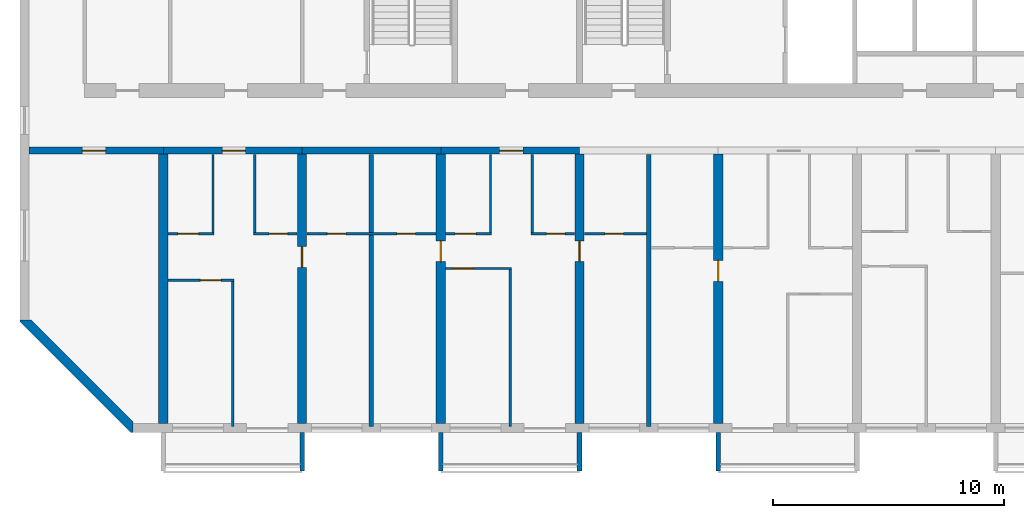
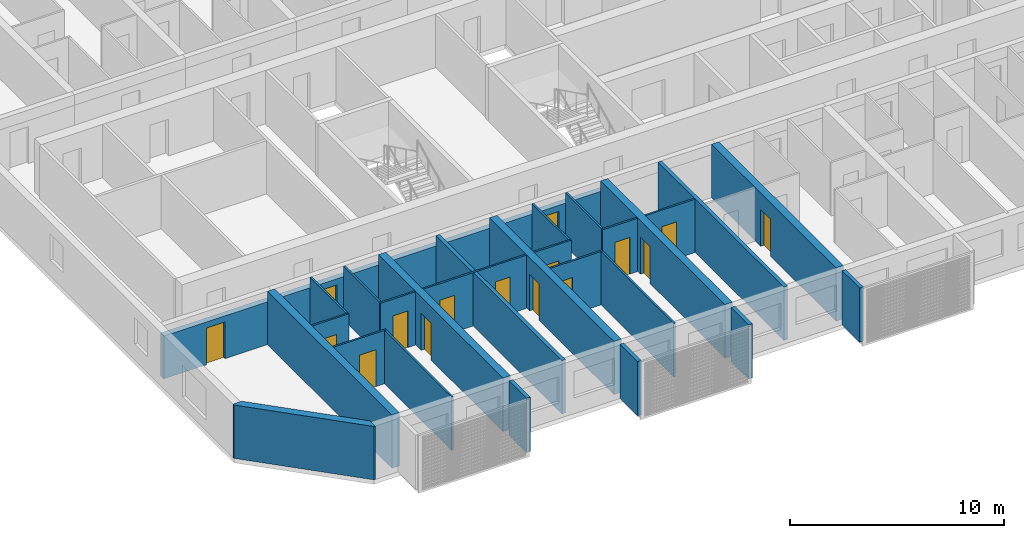
# One storey, part 2 of 39: 30 walls, 16 doors, 16 openings.
"""IFC4 building model written with IfcOpenShell, lengths in metres."""

from ifc_helpers import new_model, si_unit, direction, frame, frame_2d, origin, place, context, subcontext, project, spatial, polyline, rectangle, outline, extrude, source, transform, mapped, material, layer, layer_set, type_object, element, fill, save


model = new_model("IFC4")

# Units and contexts
model_context = context("Model", 3, precision=1e-05, world=origin(), true_north=direction((0.0, 1.0)))
body_context = subcontext(model_context, "Body", "Model", "MODEL_VIEW")
ifc_project = project(units=[si_unit("LENGTHUNIT", "METRE"), si_unit("AREAUNIT", "SQUARE_METRE"), si_unit("VOLUMEUNIT", "CUBIC_METRE"), si_unit("PLANEANGLEUNIT", "RADIAN"), si_unit("MASSUNIT", "GRAM", prefix="KILO")], contexts=[model_context])

# Site, building, storey
site_placement = place(None, origin())
site = spatial("IfcSite", under=ifc_project, at=site_placement, CompositionType="ELEMENT")
building_placement = place(site_placement, origin())
building = spatial("IfcBuilding", under=site, at=building_placement, Name="Poui Terraces", CompositionType="ELEMENT")
storey_placement = place(building_placement, frame((0.0, 0.0, 56.39990234375)))
storey = spatial("IfcBuildingStorey", under=building, at=storey_placement, Name="L15", CompositionType="ELEMENT", Elevation=56.39990234375)

# Wall, opening, door
ifc_material_1 = material(Name="Concrete 80 MPa", Category="concrete")
ifc_layer_1 = layer(ifc_material_1, 0.300048828125)
ifc_layer_set_1 = layer_set([ifc_layer_1], Name="Concrete 80 MPa")
wall_type_1 = type_object("IfcWallType", Name="CORRIDOR WALL 300 80MPa", PredefinedType="SHEAR", material=ifc_layer_set_1)
wall_1_placement = place(storey_placement, frame((6.199951171875, 12.0, 0.0), z_axis=(0.0, 0.0, 1.0), x_axis=(1.0, 0.0, 0.0)))
wall_1 = element("IfcWall", 1, at=wall_1_placement, inside=storey, type_object=wall_type_1, Name="CORRIDOR WALL LINE B BAY 1", PredefinedType="SHEAR", context=body_context, shape_type="SweptSolid", body=[
    extrude(rectangle(XDim=5.800048828125, YDim=0.300048828125, at=frame_2d((2.89990234375, 0.0))), origin(), (0.0, 0.0, 1.0), 2.4501953125),
])
opening_1_placement = place(wall_1_placement, frame((2.300048828125, 0.0, 0.0)))
opening_1 = element("IfcOpeningElement", 2, at=opening_1_placement, cuts=wall_1, Name="Opening D100", PredefinedType="OPENING", context=body_context, shape_type="SweptSolid", body=[
    extrude(rectangle(XDim=1.0, YDim=2.10009765625, at=frame_2d((0.5, 1.050048828125))), frame((0.0, 0.16015625, 0.0), z_axis=(0.0, -1.0, 0.0), x_axis=(1.0, 0.0, 0.0)), (0.0, 0.0, 1.0), 0.320068359375),
])
ifc_material_2 = material(Name="Solid core timber door", Category="wood")
door_type_1 = type_object("IfcDoorType", Name="ACCESSIBLE INTERNAL DOOR 1000 X 2100", OperationType="NOTDEFINED", PredefinedType="DOOR", material=ifc_material_2)
door_1_placement = place(opening_1_placement, frame((1.0, 0.0, 0.0), z_axis=(0.0, 0.0, 1.0), x_axis=(-1.0, 0.0, 0.0)))
door_1 = element("IfcDoor", 3, at=door_1_placement, inside=storey, type_object=door_type_1, Name="ACCESSIBLE INTERNAL DOOR 084", OperationType="SINGLE_SWING_RIGHT", OverallHeight=2.10009765625, OverallWidth=1.0, PredefinedType="DOOR", context=body_context, shape_type="SweptSolid", body=[
    extrude(rectangle(XDim=1.0, YDim=2.10009765625, at=frame_2d((0.5, 1.050048828125))), frame((0.0, 0.02490234375, 0.0), z_axis=(0.0, -1.0, 0.0), x_axis=(1.0, 0.0, 0.0)), (0.0, 0.0, 1.0), 0.050048828125),
])
fill(opening_1, door_1)

wall_2_placement = place(storey_placement, frame((12.0, 12.0, 0.0), z_axis=(0.0, 0.0, 1.0), x_axis=(1.0, 0.0, 0.0)))
wall_2 = element("IfcWall", 4, at=wall_2_placement, inside=storey, type_object=wall_type_1, Name="CORRIDOR WALL LINE B BAY 2", PredefinedType="SHEAR", context=body_context, shape_type="SweptSolid", body=[
    extrude(rectangle(XDim=6.0, YDim=0.300048828125, at=frame_2d((3.0, 0.0))), origin(), (0.0, 0.0, 1.0), 2.4501953125),
])
opening_2_placement = place(wall_2_placement, frame((2.550048828125, 0.0, 0.0)))
opening_2 = element("IfcOpeningElement", 5, at=opening_2_placement, cuts=wall_2, Name="Opening FD30S", PredefinedType="OPENING", context=body_context, shape_type="SweptSolid", body=[
    extrude(rectangle(XDim=1.0, YDim=2.10009765625, at=frame_2d((0.5, 1.050048828125))), frame((0.0, 0.16015625, 0.0), z_axis=(0.0, -1.0, 0.0), x_axis=(1.0, 0.0, 0.0)), (0.0, 0.0, 1.0), 0.320068359375),
])
ifc_material_3 = material(Name="Steel fire door", Category="steel")
door_type_2 = type_object("IfcDoorType", Name="FLAT ENTRANCE DOOR 1000 X 2100", OperationType="NOTDEFINED", PredefinedType="DOOR", material=ifc_material_3)
door_2_placement = place(opening_2_placement, frame((1.0, 0.0, 0.0), z_axis=(0.0, 0.0, 1.0), x_axis=(-1.0, 0.0, 0.0)))
door_2 = element("IfcDoor", 6, at=door_2_placement, inside=storey, type_object=door_type_2, Name="FLAT ENTRANCE DOOR 088", OperationType="SINGLE_SWING_LEFT", OverallHeight=2.10009765625, OverallWidth=1.0, PredefinedType="DOOR", context=body_context, shape_type="SweptSolid", body=[
    extrude(rectangle(XDim=1.0, YDim=2.10009765625, at=frame_2d((0.5, 1.050048828125))), frame((0.0, 0.02490234375, 0.0), z_axis=(0.0, -1.0, 0.0), x_axis=(1.0, 0.0, 0.0)), (0.0, 0.0, 1.0), 0.050048828125),
])
fill(opening_2, door_2)

# Wall
wall_3_placement = place(storey_placement, frame((18.0, 12.0, 0.0), z_axis=(0.0, 0.0, 1.0), x_axis=(1.0, 0.0, 0.0)))
element("IfcWall", 7, at=wall_3_placement, inside=storey, type_object=wall_type_1, Name="CORRIDOR WALL LINE B BAY 3", PredefinedType="SHEAR", context=body_context, shape_type="SweptSolid", body=[
    extrude(rectangle(XDim=6.0, YDim=0.300048828125, at=frame_2d((3.0, 0.0))), origin(), (0.0, 0.0, 1.0), 2.4501953125),
])

# Wall, opening, door
wall_4_placement = place(storey_placement, frame((24.0, 12.0, 0.0), z_axis=(0.0, 0.0, 1.0), x_axis=(1.0, 0.0, 0.0)))
wall_4 = element("IfcWall", 8, at=wall_4_placement, inside=storey, type_object=wall_type_1, Name="CORRIDOR WALL LINE B BAY 4", PredefinedType="SHEAR", context=body_context, shape_type="SweptSolid", body=[
    extrude(rectangle(XDim=6.0, YDim=0.300048828125, at=frame_2d((3.0, 0.0))), origin(), (0.0, 0.0, 1.0), 2.4501953125),
])
opening_3_placement = place(wall_4_placement, frame((2.550048828125, 0.0, 0.0)))
opening_3 = element("IfcOpeningElement", 9, at=opening_3_placement, cuts=wall_4, Name="Opening FD30S", PredefinedType="OPENING", context=body_context, shape_type="SweptSolid", body=[
    extrude(rectangle(XDim=1.0, YDim=2.10009765625, at=frame_2d((0.5, 1.050048828125))), frame((0.0, 0.16015625, 0.0), z_axis=(0.0, -1.0, 0.0), x_axis=(1.0, 0.0, 0.0)), (0.0, 0.0, 1.0), 0.320068359375),
])
door_3_placement = place(opening_3_placement, frame((1.0, 0.0, 0.0), z_axis=(0.0, 0.0, 1.0), x_axis=(-1.0, 0.0, 0.0)))
door_3 = element("IfcDoor", 10, at=door_3_placement, inside=storey, type_object=door_type_2, Name="FLAT ENTRANCE DOOR 096", OperationType="SINGLE_SWING_LEFT", OverallHeight=2.10009765625, OverallWidth=1.0, PredefinedType="DOOR", context=body_context, shape_type="SweptSolid", body=[
    extrude(rectangle(XDim=1.0, YDim=2.10009765625, at=frame_2d((0.5, 1.050048828125))), frame((0.0, 0.02490234375, 0.0), z_axis=(0.0, -1.0, 0.0), x_axis=(1.0, 0.0, 0.0)), (0.0, 0.0, 1.0), 0.050048828125),
])
fill(opening_3, door_3)

# Wall
ifc_layer_2 = layer(ifc_material_1, 0.39990234375)
ifc_layer_set_2 = layer_set([ifc_layer_2], Name="Concrete 80 MPa")
wall_type_2 = type_object("IfcWallType", Name="CROSS WALL 400 80MPa", PredefinedType="SHEAR", material=ifc_layer_set_2)
wall_5_placement = place(storey_placement, frame((12.0, 0.199951171875, 0.0), z_axis=(0.0, 0.0, 1.0), x_axis=(0.0, 1.0, 0.0)))
element("IfcWall", 11, at=wall_5_placement, inside=storey, type_object=wall_type_2, Name="CROSS WALL LINE 3 SOUTH", PredefinedType="SHEAR", context=body_context, shape_type="SweptSolid", body=[
    extrude(rectangle(XDim=11.650146484375, YDim=0.39990234375, at=frame_2d((5.8251953125, 0.0))), origin(), (0.0, 0.0, 1.0), 3.050048828125),
])

# Wall, opening, door
wall_6_placement = place(storey_placement, frame((18.0, 0.199951171875, 0.0), z_axis=(0.0, 0.0, 1.0), x_axis=(0.0, 1.0, 0.0)))
wall_6 = element("IfcWall", 12, at=wall_6_placement, inside=storey, type_object=wall_type_2, Name="CROSS WALL LINE 4 SOUTH", PredefinedType="SHEAR", context=body_context, shape_type="SweptSolid", body=[
    extrude(rectangle(XDim=11.650146484375, YDim=0.39990234375, at=frame_2d((5.8251953125, 0.0))), origin(), (0.0, 0.0, 1.0), 3.050048828125),
])
opening_4_placement = place(wall_6_placement, frame((6.75, 0.0, 0.0)))
opening_4 = element("IfcOpeningElement", 13, at=opening_4_placement, cuts=wall_6, Name="Opening D90", PredefinedType="OPENING", context=body_context, shape_type="SweptSolid", body=[
    extrude(rectangle(XDim=0.89990234375, YDim=2.10009765625, at=frame_2d((0.449951171875, 1.050048828125))), frame((0.0, 0.2099609375, 0.0), z_axis=(0.0, -1.0, 0.0), x_axis=(1.0, 0.0, 0.0)), (0.0, 0.0, 1.0), 0.419921875),
])
door_type_3 = type_object("IfcDoorType", Name="INTERNAL DOOR 900 X 2100", OperationType="NOTDEFINED", PredefinedType="DOOR", material=ifc_material_2)
door_4_placement = place(opening_4_placement, frame((0.89990234375, 0.0, 0.0), z_axis=(0.0, 0.0, 1.0), x_axis=(-1.0, 0.0, 0.0)))
door_4 = element("IfcDoor", 14, at=door_4_placement, inside=storey, type_object=door_type_3, Name="INTERNAL DOOR 090", OperationType="SINGLE_SWING_LEFT", OverallHeight=2.10009765625, OverallWidth=0.89990234375, PredefinedType="DOOR", context=body_context, shape_type="SweptSolid", body=[
    extrude(rectangle(XDim=0.89990234375, YDim=2.10009765625, at=frame_2d((0.449951171875, 1.050048828125))), frame((0.0, 0.02490234375, 0.0), z_axis=(0.0, -1.0, 0.0), x_axis=(1.0, 0.0, 0.0)), (0.0, 0.0, 1.0), 0.050048828125),
])
fill(opening_4, door_4)

wall_7_placement = place(storey_placement, frame((24.0, 0.199951171875, 0.0), z_axis=(0.0, 0.0, 1.0), x_axis=(0.0, 1.0, 0.0)))
wall_7 = element("IfcWall", 15, at=wall_7_placement, inside=storey, type_object=wall_type_2, Name="CROSS WALL LINE 5 SOUTH", PredefinedType="SHEAR", context=body_context, shape_type="SweptSolid", body=[
    extrude(rectangle(XDim=11.650146484375, YDim=0.39990234375, at=frame_2d((5.8251953125, 0.0))), origin(), (0.0, 0.0, 1.0), 3.050048828125),
])
opening_5_placement = place(wall_7_placement, frame((7.0, 0.0, 0.0)))
opening_5 = element("IfcOpeningElement", 16, at=opening_5_placement, cuts=wall_7, Name="Opening D90", PredefinedType="OPENING", context=body_context, shape_type="SweptSolid", body=[
    extrude(rectangle(XDim=0.89990234375, YDim=2.10009765625, at=frame_2d((0.449951171875, 1.050048828125))), frame((0.0, 0.2099609375, 0.0), z_axis=(0.0, -1.0, 0.0), x_axis=(1.0, 0.0, 0.0)), (0.0, 0.0, 1.0), 0.419921875),
])
door_5_placement = place(opening_5_placement, origin())
door_5 = element("IfcDoor", 17, at=door_5_placement, inside=storey, type_object=door_type_3, Name="INTERNAL DOOR 093", OperationType="SINGLE_SWING_RIGHT", OverallHeight=2.10009765625, OverallWidth=0.89990234375, PredefinedType="DOOR", context=body_context, shape_type="SweptSolid", body=[
    extrude(rectangle(XDim=0.89990234375, YDim=2.10009765625, at=frame_2d((0.449951171875, 1.050048828125))), frame((0.0, 0.02490234375, 0.0), z_axis=(0.0, -1.0, 0.0), x_axis=(1.0, 0.0, 0.0)), (0.0, 0.0, 1.0), 0.050048828125),
])
fill(opening_5, door_5)

wall_8_placement = place(storey_placement, frame((30.0, 0.199951171875, 0.0), z_axis=(0.0, 0.0, 1.0), x_axis=(0.0, 1.0, 0.0)))
wall_8 = element("IfcWall", 18, at=wall_8_placement, inside=storey, type_object=wall_type_2, Name="CROSS WALL LINE 6 SOUTH", PredefinedType="SHEAR", context=body_context, shape_type="SweptSolid", body=[
    extrude(rectangle(XDim=11.650146484375, YDim=0.39990234375, at=frame_2d((5.8251953125, 0.0))), origin(), (0.0, 0.0, 1.0), 3.050048828125),
])
opening_6_placement = place(wall_8_placement, frame((7.0, 0.0, 0.0)))
opening_6 = element("IfcOpeningElement", 19, at=opening_6_placement, cuts=wall_8, Name="Opening D90", PredefinedType="OPENING", context=body_context, shape_type="SweptSolid", body=[
    extrude(rectangle(XDim=0.89990234375, YDim=2.10009765625, at=frame_2d((0.449951171875, 1.050048828125))), frame((0.0, 0.2099609375, 0.0), z_axis=(0.0, -1.0, 0.0), x_axis=(1.0, 0.0, 0.0)), (0.0, 0.0, 1.0), 0.419921875),
])
door_6_placement = place(opening_6_placement, frame((0.89990234375, 0.0, 0.0), z_axis=(0.0, 0.0, 1.0), x_axis=(-1.0, 0.0, 0.0)))
door_6 = element("IfcDoor", 20, at=door_6_placement, inside=storey, type_object=door_type_3, Name="INTERNAL DOOR 098", OperationType="SINGLE_SWING_LEFT", OverallHeight=2.10009765625, OverallWidth=0.89990234375, PredefinedType="DOOR", context=body_context, shape_type="SweptSolid", body=[
    extrude(rectangle(XDim=0.89990234375, YDim=2.10009765625, at=frame_2d((0.449951171875, 1.050048828125))), frame((0.0, 0.02490234375, 0.0), z_axis=(0.0, -1.0, 0.0), x_axis=(1.0, 0.0, 0.0)), (0.0, 0.0, 1.0), 0.050048828125),
])
fill(opening_6, door_6)

wall_9_placement = place(storey_placement, frame((36.0, 0.199951171875, 0.0), z_axis=(0.0, 0.0, 1.0), x_axis=(0.0, 1.0, 0.0)))
wall_9 = element("IfcWall", 21, at=wall_9_placement, inside=storey, type_object=wall_type_2, Name="CROSS WALL LINE 7 SOUTH", PredefinedType="SHEAR", context=body_context, shape_type="SweptSolid", body=[
    extrude(rectangle(XDim=11.650146484375, YDim=0.39990234375, at=frame_2d((5.8251953125, 0.0))), origin(), (0.0, 0.0, 1.0), 3.050048828125),
])
opening_7_placement = place(wall_9_placement, frame((6.14990234375, 0.0, 0.0)))
opening_7 = element("IfcOpeningElement", 22, at=opening_7_placement, cuts=wall_9, Name="Opening D90", PredefinedType="OPENING", context=body_context, shape_type="SweptSolid", body=[
    extrude(rectangle(XDim=0.89990234375, YDim=2.10009765625, at=frame_2d((0.449951171875, 1.050048828125))), frame((0.0, 0.2099609375, 0.0), z_axis=(0.0, -1.0, 0.0), x_axis=(1.0, 0.0, 0.0)), (0.0, 0.0, 1.0), 0.419921875),
])
door_7_placement = place(opening_7_placement, origin())
door_7 = element("IfcDoor", 23, at=door_7_placement, inside=storey, type_object=door_type_3, Name="INTERNAL DOOR 100", OperationType="SINGLE_SWING_RIGHT", OverallHeight=2.10009765625, OverallWidth=0.89990234375, PredefinedType="DOOR", context=body_context, shape_type="SweptSolid", body=[
    extrude(rectangle(XDim=0.89990234375, YDim=2.10009765625, at=frame_2d((0.449951171875, 1.050048828125))), frame((0.0, 0.02490234375, 0.0), z_axis=(0.0, -1.0, 0.0), x_axis=(1.0, 0.0, 0.0)), (0.0, 0.0, 1.0), 0.050048828125),
])
fill(opening_7, door_7)

ifc_material_4 = material(Name="Plasterboard partition")
ifc_layer_3 = layer(ifc_material_4, 0.10009765625)
ifc_layer_set_3 = layer_set([ifc_layer_3], Name="Plasterboard partition")
wall_type_3 = type_object("IfcWallType", Name="FLAT PARTITION 100", PredefinedType="PARTITIONING", material=ifc_layer_set_3)
wall_10_placement = place(storey_placement, frame((12.2099609375, 6.39990234375, 0.0), z_axis=(0.0, 0.0, 1.0), x_axis=(1.0, 0.0, 0.0)))
wall_10 = element("IfcWall", 24, at=wall_10_placement, inside=storey, type_object=wall_type_3, Name="FLAT PARTITION 100", PredefinedType="PARTITIONING", context=body_context, shape_type="SweptSolid", body=[
    extrude(rectangle(XDim=2.840087890625, YDim=0.10009765625, at=frame_2d((1.419921875, 0.0))), origin(), (0.0, 0.0, 1.0), 3.050048828125),
])
opening_8_placement = place(wall_10_placement, frame((1.389892578125, 0.0, 0.0)))
opening_8 = element("IfcOpeningElement", 25, at=opening_8_placement, cuts=wall_10, Name="Opening D90", PredefinedType="OPENING", context=body_context, shape_type="SweptSolid", body=[
    extrude(rectangle(XDim=0.89990234375, YDim=2.10009765625, at=frame_2d((0.449951171875, 1.050048828125))), frame((0.0, 0.06005859375, 0.0), z_axis=(0.0, -1.0, 0.0), x_axis=(1.0, 0.0, 0.0)), (0.0, 0.0, 1.0), 0.1201171875),
])
door_8_placement = place(opening_8_placement, origin())
door_8 = element("IfcDoor", 26, at=door_8_placement, inside=storey, type_object=door_type_3, Name="INTERNAL DOOR 087", OperationType="SINGLE_SWING_LEFT", OverallHeight=2.10009765625, OverallWidth=0.89990234375, PredefinedType="DOOR", context=body_context, shape_type="SweptSolid", body=[
    extrude(rectangle(XDim=0.89990234375, YDim=2.10009765625, at=frame_2d((0.449951171875, 1.050048828125))), frame((0.0, 0.02490234375, 0.0), z_axis=(0.0, -1.0, 0.0), x_axis=(1.0, 0.0, 0.0)), (0.0, 0.0, 1.0), 0.050048828125),
])
fill(opening_8, door_8)

wall_11_placement = place(storey_placement, frame((24.2099609375, 6.89990234375, 0.0), z_axis=(0.0, 0.0, 1.0), x_axis=(1.0, 0.0, 0.0)))
wall_11 = element("IfcWall", 27, at=wall_11_placement, inside=storey, type_object=wall_type_3, Name="FLAT PARTITION 100", PredefinedType="PARTITIONING", context=body_context, shape_type="SweptSolid", body=[
    extrude(rectangle(XDim=2.840087890625, YDim=0.10009765625, at=frame_2d((1.419921875, 0.0))), origin(), (0.0, 0.0, 1.0), 3.050048828125),
])
opening_9_placement = place(wall_11_placement, frame((0.2900390625, 0.0, 0.0)))
opening_9 = element("IfcOpeningElement", 28, at=opening_9_placement, cuts=wall_11, Name="Opening D90", PredefinedType="OPENING", context=body_context, shape_type="SweptSolid", body=[
    extrude(rectangle(XDim=0.89990234375, YDim=2.10009765625, at=frame_2d((0.449951171875, 1.050048828125))), frame((0.0, 0.06005859375, 0.0), z_axis=(0.0, -1.0, 0.0), x_axis=(1.0, 0.0, 0.0)), (0.0, 0.0, 1.0), 0.1201171875),
])
door_9_placement = place(opening_9_placement, origin())
door_9 = element("IfcDoor", 29, at=door_9_placement, inside=storey, type_object=door_type_3, Name="INTERNAL DOOR 094", OperationType="SINGLE_SWING_RIGHT", OverallHeight=2.10009765625, OverallWidth=0.89990234375, PredefinedType="DOOR", context=body_context, shape_type="SweptSolid", body=[
    extrude(rectangle(XDim=0.89990234375, YDim=2.10009765625, at=frame_2d((0.449951171875, 1.050048828125))), frame((0.0, 0.02490234375, 0.0), z_axis=(0.0, -1.0, 0.0), x_axis=(1.0, 0.0, 0.0)), (0.0, 0.0, 1.0), 0.050048828125),
])
fill(opening_9, door_9)

wall_12_placement = place(storey_placement, frame((12.2099609375, 8.39990234375, 0.0), z_axis=(0.0, 0.0, 1.0), x_axis=(1.0, 0.0, 0.0)))
wall_12 = element("IfcWall", 30, at=wall_12_placement, inside=storey, type_object=wall_type_3, Name="FLAT PARTITION 100", PredefinedType="PARTITIONING", context=body_context, shape_type="SweptSolid", body=[
    extrude(rectangle(XDim=1.989990234375, YDim=0.10009765625, at=frame_2d((0.9951171875, 0.0))), origin(), (0.0, 0.0, 1.0), 3.050048828125),
])
opening_10_placement = place(wall_12_placement, frame((0.4150390625, 0.0, 0.0)))
opening_10 = element("IfcOpeningElement", 31, at=opening_10_placement, cuts=wall_12, Name="Opening D90", PredefinedType="OPENING", context=body_context, shape_type="SweptSolid", body=[
    extrude(rectangle(XDim=0.89990234375, YDim=2.10009765625, at=frame_2d((0.449951171875, 1.050048828125))), frame((0.0, 0.06005859375, 0.0), z_axis=(0.0, -1.0, 0.0), x_axis=(1.0, 0.0, 0.0)), (0.0, 0.0, 1.0), 0.1201171875),
])
door_10_placement = place(opening_10_placement, origin())
door_10 = element("IfcDoor", 32, at=door_10_placement, inside=storey, type_object=door_type_3, Name="INTERNAL DOOR 086", OperationType="SINGLE_SWING_RIGHT", OverallHeight=2.10009765625, OverallWidth=0.89990234375, PredefinedType="DOOR", context=body_context, shape_type="SweptSolid", body=[
    extrude(rectangle(XDim=0.89990234375, YDim=2.10009765625, at=frame_2d((0.449951171875, 1.050048828125))), frame((0.0, 0.02490234375, 0.0), z_axis=(0.0, -1.0, 0.0), x_axis=(1.0, 0.0, 0.0)), (0.0, 0.0, 1.0), 0.050048828125),
])
fill(opening_10, door_10)

wall_13_placement = place(storey_placement, frame((15.89990234375, 8.39990234375, 0.0), z_axis=(0.0, 0.0, 1.0), x_axis=(1.0, 0.0, 0.0)))
wall_13 = element("IfcWall", 33, at=wall_13_placement, inside=storey, type_object=wall_type_3, Name="FLAT PARTITION 100", PredefinedType="PARTITIONING", context=body_context, shape_type="SweptSolid", body=[
    extrude(rectangle(XDim=1.89013671875, YDim=0.10009765625, at=frame_2d((0.945068359375, 0.0))), origin(), (0.0, 0.0, 1.0), 3.050048828125),
])
opening_11_placement = place(wall_13_placement, frame((0.675048828125, 0.0, 0.0)))
opening_11 = element("IfcOpeningElement", 34, at=opening_11_placement, cuts=wall_13, Name="Opening D80", PredefinedType="OPENING", context=body_context, shape_type="SweptSolid", body=[
    extrude(rectangle(XDim=0.800048828125, YDim=2.10009765625, at=frame_2d((0.39990234375, 1.050048828125))), frame((0.0, 0.06005859375, 0.0), z_axis=(0.0, -1.0, 0.0), x_axis=(1.0, 0.0, 0.0)), (0.0, 0.0, 1.0), 0.1201171875),
])
door_type_4 = type_object("IfcDoorType", Name="BATHROOM, LAUNDRY AND STORE DOOR 800 X 2100", OperationType="NOTDEFINED", PredefinedType="DOOR", material=ifc_material_2)
door_11_placement = place(opening_11_placement, origin())
door_11 = element("IfcDoor", 35, at=door_11_placement, inside=storey, type_object=door_type_4, Name="BATHROOM, LAUNDRY AND STORE DOOR 089", OperationType="SINGLE_SWING_LEFT", OverallHeight=2.10009765625, OverallWidth=0.800048828125, PredefinedType="DOOR", context=body_context, shape_type="SweptSolid", body=[
    extrude(rectangle(XDim=0.800048828125, YDim=2.10009765625, at=frame_2d((0.39990234375, 1.050048828125))), frame((0.0, 0.02490234375, 0.0), z_axis=(0.0, -1.0, 0.0), x_axis=(1.0, 0.0, 0.0)), (0.0, 0.0, 1.0), 0.050048828125),
])
fill(opening_11, door_11)

# Wall, openings, doors
wall_14_placement = place(storey_placement, frame((18.2099609375, 8.39990234375, 0.0), z_axis=(0.0, 0.0, 1.0), x_axis=(1.0, 0.0, 0.0)))
wall_14 = element("IfcWall", 36, at=wall_14_placement, inside=storey, type_object=wall_type_3, Name="FLAT PARTITION 100", PredefinedType="PARTITIONING", context=body_context, shape_type="SweptSolid", body=[
    extrude(rectangle(XDim=5.580078125, YDim=0.10009765625, at=frame_2d((2.7900390625, 0.0))), origin(), (0.0, 0.0, 1.0), 3.050048828125),
])
opening_12_placement = place(wall_14_placement, frame((0.889892578125, 0.0, 0.0)))
opening_12 = element("IfcOpeningElement", 37, at=opening_12_placement, cuts=wall_14, Name="Opening D80", PredefinedType="OPENING", context=body_context, shape_type="SweptSolid", body=[
    extrude(rectangle(XDim=0.800048828125, YDim=2.10009765625, at=frame_2d((0.39990234375, 1.050048828125))), frame((0.0, 0.06005859375, 0.0), z_axis=(0.0, -1.0, 0.0), x_axis=(1.0, 0.0, 0.0)), (0.0, 0.0, 1.0), 0.1201171875),
])
opening_13_placement = place(wall_14_placement, frame((3.889892578125, 0.0, 0.0)))
opening_13 = element("IfcOpeningElement", 38, at=opening_13_placement, cuts=wall_14, Name="Opening D80", PredefinedType="OPENING", context=body_context, shape_type="SweptSolid", body=[
    extrude(rectangle(XDim=0.800048828125, YDim=2.10009765625, at=frame_2d((0.39990234375, 1.050048828125))), frame((0.0, 0.06005859375, 0.0), z_axis=(0.0, -1.0, 0.0), x_axis=(1.0, 0.0, 0.0)), (0.0, 0.0, 1.0), 0.1201171875),
])
door_12_placement = place(opening_12_placement, origin())
door_12 = element("IfcDoor", 39, at=door_12_placement, inside=storey, type_object=door_type_4, Name="BATHROOM, LAUNDRY AND STORE DOOR 085", OperationType="SINGLE_SWING_RIGHT", OverallHeight=2.10009765625, OverallWidth=0.800048828125, PredefinedType="DOOR", context=body_context, shape_type="SweptSolid", body=[
    extrude(rectangle(XDim=0.800048828125, YDim=2.10009765625, at=frame_2d((0.39990234375, 1.050048828125))), frame((0.0, 0.02490234375, 0.0), z_axis=(0.0, -1.0, 0.0), x_axis=(1.0, 0.0, 0.0)), (0.0, 0.0, 1.0), 0.050048828125),
])
fill(opening_12, door_12)
door_13_placement = place(opening_13_placement, origin())
door_13 = element("IfcDoor", 40, at=door_13_placement, inside=storey, type_object=door_type_4, Name="BATHROOM, LAUNDRY AND STORE DOOR 091", OperationType="SINGLE_SWING_LEFT", OverallHeight=2.10009765625, OverallWidth=0.800048828125, PredefinedType="DOOR", context=body_context, shape_type="SweptSolid", body=[
    extrude(rectangle(XDim=0.800048828125, YDim=2.10009765625, at=frame_2d((0.39990234375, 1.050048828125))), frame((0.0, 0.02490234375, 0.0), z_axis=(0.0, -1.0, 0.0), x_axis=(1.0, 0.0, 0.0)), (0.0, 0.0, 1.0), 0.050048828125),
])
fill(opening_13, door_13)

# Wall, opening, door
wall_15_placement = place(storey_placement, frame((24.2099609375, 8.39990234375, 0.0), z_axis=(0.0, 0.0, 1.0), x_axis=(1.0, 0.0, 0.0)))
wall_15 = element("IfcWall", 41, at=wall_15_placement, inside=storey, type_object=wall_type_3, Name="FLAT PARTITION 100", PredefinedType="PARTITIONING", context=body_context, shape_type="SweptSolid", body=[
    extrude(rectangle(XDim=1.989990234375, YDim=0.10009765625, at=frame_2d((0.9951171875, 0.0))), origin(), (0.0, 0.0, 1.0), 3.050048828125),
])
opening_14_placement = place(wall_15_placement, frame((0.4150390625, 0.0, 0.0)))
opening_14 = element("IfcOpeningElement", 42, at=opening_14_placement, cuts=wall_15, Name="Opening D90", PredefinedType="OPENING", context=body_context, shape_type="SweptSolid", body=[
    extrude(rectangle(XDim=0.89990234375, YDim=2.10009765625, at=frame_2d((0.449951171875, 1.050048828125))), frame((0.0, 0.06005859375, 0.0), z_axis=(0.0, -1.0, 0.0), x_axis=(1.0, 0.0, 0.0)), (0.0, 0.0, 1.0), 0.1201171875),
])
door_14_placement = place(opening_14_placement, origin())
door_14 = element("IfcDoor", 43, at=door_14_placement, inside=storey, type_object=door_type_3, Name="INTERNAL DOOR 095", OperationType="SINGLE_SWING_LEFT", OverallHeight=2.10009765625, OverallWidth=0.89990234375, PredefinedType="DOOR", context=body_context, shape_type="SweptSolid", body=[
    extrude(rectangle(XDim=0.89990234375, YDim=2.10009765625, at=frame_2d((0.449951171875, 1.050048828125))), frame((0.0, 0.02490234375, 0.0), z_axis=(0.0, -1.0, 0.0), x_axis=(1.0, 0.0, 0.0)), (0.0, 0.0, 1.0), 0.050048828125),
])
fill(opening_14, door_14)

wall_16_placement = place(storey_placement, frame((27.89990234375, 8.39990234375, 0.0), z_axis=(0.0, 0.0, 1.0), x_axis=(1.0, 0.0, 0.0)))
wall_16 = element("IfcWall", 44, at=wall_16_placement, inside=storey, type_object=wall_type_3, Name="FLAT PARTITION 100", PredefinedType="PARTITIONING", context=body_context, shape_type="SweptSolid", body=[
    extrude(rectangle(XDim=1.89013671875, YDim=0.10009765625, at=frame_2d((0.945068359375, 0.0))), origin(), (0.0, 0.0, 1.0), 3.050048828125),
])
opening_15_placement = place(wall_16_placement, frame((0.675048828125, 0.0, 0.0)))
opening_15 = element("IfcOpeningElement", 45, at=opening_15_placement, cuts=wall_16, Name="Opening D80", PredefinedType="OPENING", context=body_context, shape_type="SweptSolid", body=[
    extrude(rectangle(XDim=0.800048828125, YDim=2.10009765625, at=frame_2d((0.39990234375, 1.050048828125))), frame((0.0, 0.06005859375, 0.0), z_axis=(0.0, -1.0, 0.0), x_axis=(1.0, 0.0, 0.0)), (0.0, 0.0, 1.0), 0.1201171875),
])
door_15_placement = place(opening_15_placement, origin())
door_15 = element("IfcDoor", 46, at=door_15_placement, inside=storey, type_object=door_type_4, Name="BATHROOM, LAUNDRY AND STORE DOOR 097", OperationType="SINGLE_SWING_RIGHT", OverallHeight=2.10009765625, OverallWidth=0.800048828125, PredefinedType="DOOR", context=body_context, shape_type="SweptSolid", body=[
    extrude(rectangle(XDim=0.800048828125, YDim=2.10009765625, at=frame_2d((0.39990234375, 1.050048828125))), frame((0.0, 0.02490234375, 0.0), z_axis=(0.0, -1.0, 0.0), x_axis=(1.0, 0.0, 0.0)), (0.0, 0.0, 1.0), 0.050048828125),
])
fill(opening_15, door_15)

wall_17_placement = place(storey_placement, frame((30.2099609375, 8.39990234375, 0.0), z_axis=(0.0, 0.0, 1.0), x_axis=(1.0, 0.0, 0.0)))
wall_17 = element("IfcWall", 47, at=wall_17_placement, inside=storey, type_object=wall_type_3, Name="FLAT PARTITION 100", PredefinedType="PARTITIONING", context=body_context, shape_type="SweptSolid", body=[
    extrude(rectangle(XDim=2.68994140625, YDim=0.10009765625, at=frame_2d((1.344970703125, 0.0))), origin(), (0.0, 0.0, 1.0), 3.050048828125),
])
opening_16_placement = place(wall_17_placement, frame((0.889892578125, 0.0, 0.0)))
opening_16 = element("IfcOpeningElement", 48, at=opening_16_placement, cuts=wall_17, Name="Opening D80", PredefinedType="OPENING", context=body_context, shape_type="SweptSolid", body=[
    extrude(rectangle(XDim=0.800048828125, YDim=2.10009765625, at=frame_2d((0.39990234375, 1.050048828125))), frame((0.0, 0.06005859375, 0.0), z_axis=(0.0, -1.0, 0.0), x_axis=(1.0, 0.0, 0.0)), (0.0, 0.0, 1.0), 0.1201171875),
])
door_16_placement = place(opening_16_placement, origin())
door_16 = element("IfcDoor", 49, at=door_16_placement, inside=storey, type_object=door_type_4, Name="BATHROOM, LAUNDRY AND STORE DOOR 092", OperationType="SINGLE_SWING_LEFT", OverallHeight=2.10009765625, OverallWidth=0.800048828125, PredefinedType="DOOR", context=body_context, shape_type="SweptSolid", body=[
    extrude(rectangle(XDim=0.800048828125, YDim=2.10009765625, at=frame_2d((0.39990234375, 1.050048828125))), frame((0.0, 0.02490234375, 0.0), z_axis=(0.0, -1.0, 0.0), x_axis=(1.0, 0.0, 0.0)), (0.0, 0.0, 1.0), 0.050048828125),
])
fill(opening_16, door_16)

# Walls
wall_18_placement = place(storey_placement, frame((14.14990234375, 8.449951171875, 0.0), z_axis=(0.0, 0.0, 1.0), x_axis=(0.0, 1.0, 0.0)))
element("IfcWall", 50, at=wall_18_placement, inside=storey, type_object=wall_type_3, Name="FLAT PARTITION 100", PredefinedType="PARTITIONING", context=body_context, shape_type="SweptSolid", body=[
    extrude(rectangle(XDim=3.39013671875, YDim=0.10009765625, at=frame_2d((1.695068359375, 0.0))), origin(), (0.0, 0.0, 1.0), 3.050048828125),
])
wall_19_placement = place(storey_placement, frame((15.0, 0.06005859375, 0.0), z_axis=(0.0, 0.0, 1.0), x_axis=(0.0, 1.0, 0.0)))
element("IfcWall", 51, at=wall_19_placement, inside=storey, type_object=wall_type_3, Name="FLAT PARTITION 100", PredefinedType="PARTITIONING", context=body_context, shape_type="SweptSolid", body=[
    extrude(rectangle(XDim=6.2900390625, YDim=0.10009765625, at=frame_2d((3.14501953125, 0.0))), origin(), (0.0, 0.0, 1.0), 3.050048828125),
])
for number, where, z_axis, x_axis, name in (
    (52, (15.949951171875, 8.449951171875, 0.0), (0.0, 0.0, 1.0), (0.0, 1.0, 0.0), "FLAT PARTITION 100"),
    (53, (26.14990234375, 8.449951171875, 0.0), (0.0, 0.0, 1.0), (0.0, 1.0, 0.0), "FLAT PARTITION 100"),
):
    element("IfcWall", number, at=place(storey_placement, frame(where, z_axis=z_axis, x_axis=x_axis)), inside=storey, type_object=wall_type_3, Name=name, PredefinedType="PARTITIONING", context=body_context, shape_type="SweptSolid", body=[
        extrude(rectangle(XDim=3.39013671875, YDim=0.10009765625, at=frame_2d((1.695068359375, 0.0))), origin(), (0.0, 0.0, 1.0), 3.050048828125),
    ])
wall_20_placement = place(storey_placement, frame((27.0, 0.06005859375, 0.0), z_axis=(0.0, 0.0, 1.0), x_axis=(0.0, 1.0, 0.0)))
element("IfcWall", 54, at=wall_20_placement, inside=storey, type_object=wall_type_3, Name="FLAT PARTITION 100", PredefinedType="PARTITIONING", context=body_context, shape_type="SweptSolid", body=[
    extrude(rectangle(XDim=6.7900390625, YDim=0.10009765625, at=frame_2d((3.39501953125, 0.0))), origin(), (0.0, 0.0, 1.0), 3.050048828125),
])
wall_21_placement = place(storey_placement, frame((27.949951171875, 8.449951171875, 0.0), z_axis=(0.0, 0.0, 1.0), x_axis=(0.0, 1.0, 0.0)))
element("IfcWall", 55, at=wall_21_placement, inside=storey, type_object=wall_type_3, Name="FLAT PARTITION 100", PredefinedType="PARTITIONING", context=body_context, shape_type="SweptSolid", body=[
    extrude(rectangle(XDim=3.39013671875, YDim=0.10009765625, at=frame_2d((1.695068359375, 0.0))), origin(), (0.0, 0.0, 1.0), 3.050048828125),
])
ifc_material_5 = material(Name="Fire-rated masonry wall", Category="masonry")
ifc_layer_4 = layer(ifc_material_5, 0.199951171875)
ifc_layer_set_4 = layer_set([ifc_layer_4], Name="Fire-rated masonry wall")
wall_type_4 = type_object("IfcWallType", Name="FLAT PARTY WALL 200", PredefinedType="PARTITIONING", material=ifc_layer_set_4)
for number, where, z_axis, x_axis, name in (
    (56, (21.0, 0.06005859375, 0.0), (0.0, 0.0, 1.0), (0.0, 1.0, 0.0), "FLAT PARTY WALL 200"),
    (57, (33.0, 0.06005859375, 0.0), (0.0, 0.0, 1.0), (0.0, 1.0, 0.0), "FLAT PARTY WALL 200"),
):
    element("IfcWall", number, at=place(storey_placement, frame(where, z_axis=z_axis, x_axis=x_axis)), inside=storey, type_object=wall_type_4, Name=name, PredefinedType="PARTITIONING", context=body_context, shape_type="SweptSolid", body=[
        extrude(rectangle(XDim=11.780029296875, YDim=0.199951171875, at=frame_2d((5.89013671875, 0.0))), origin(), (0.0, 0.0, 1.0), 3.050048828125),
    ])
ifc_material_6 = material(Name="Precast concrete 40 MPa", Category="concrete")
ifc_layer_5 = layer(ifc_material_6, 0.39990234375)
ifc_layer_set_5 = layer_set([ifc_layer_5], Name="Precast concrete 40 MPa")
wall_type_5 = type_object("IfcWallType", Name="TERRACOTTA CLAD CHAMFER WALL 400", PredefinedType="STANDARD", material=ifc_layer_set_5)
wall_22_placement = place(storey_placement, origin())
element("IfcWall", 58, at=wall_22_placement, inside=storey, type_object=wall_type_5, Name="CHAMFER WALL CH07", PredefinedType="STANDARD", context=body_context, shape_type="SweptSolid", body=[
    extrude(outline(polyline([(5.800048828125, 4.682861328125), (5.800048828125, 4.60009765625), (10.60009765625, -0.199951171875), (10.682861328125, -0.199951171875), (10.682861328125, 0.28271484375), (6.28271484375, 4.682861328125), (5.800048828125, 4.682861328125)])), origin(), (0.0, 0.0, 1.0), 3.050048828125),
])
ifc_layer_6 = layer(ifc_material_6, 0.199951171875)
ifc_layer_set_6 = layer_set([ifc_layer_6], Name="Precast concrete 40 MPa")
wall_type_6 = type_object("IfcWallType", Name="REAR FIN 200", PredefinedType="STANDARD", material=ifc_layer_set_6)
shared_shape = source(origin(), body_context, "Body", "SweptSolid", [
    extrude(outline(polyline([(0.0, 0.0), (0.2001953125, 0.0), (0.2001953125, 1.650146484375), (0.0, 1.650146484375), (0.0, 0.0)])), origin(), (0.0, 0.0, 1.0), 3.10009765625),
])
for number, where, name in (
    (59, (17.89990234375, -1.85009765625, 0.0), "REAR FIN"),
    (60, (23.89990234375, -1.85009765625, 0.0), "REAR FIN"),
    (61, (29.89990234375, -1.85009765625, 0.0), "REAR FIN"),
    (62, (35.89990234375, -1.85009765625, 0.0), "REAR FIN"),
):
    element("IfcWall", number, at=place(storey_placement, frame(where)), inside=storey, type_object=wall_type_6, Name=name, PredefinedType="STANDARD", context=body_context, shape_type="MappedRepresentation", body=[
        mapped(shared_shape, transform((0.0, 0.0, 0.0))),
    ])

save(model, "model.ifc")
